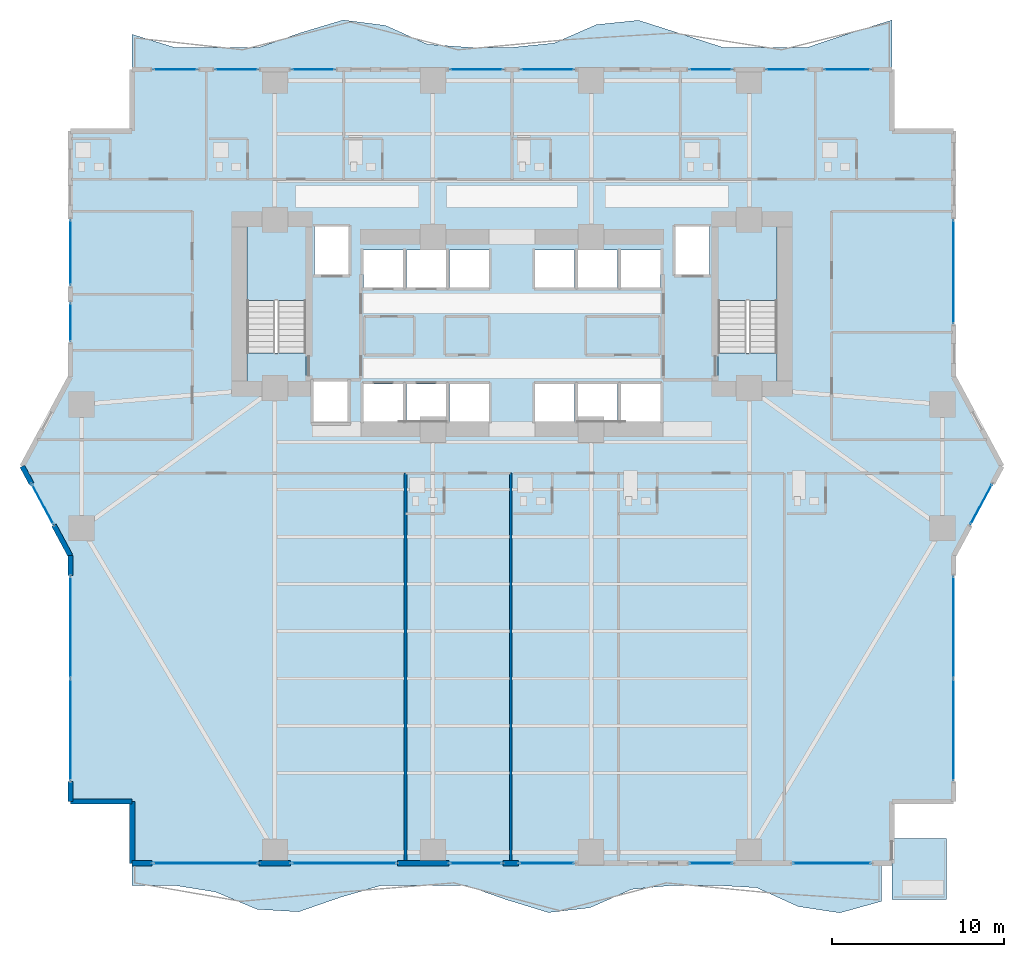
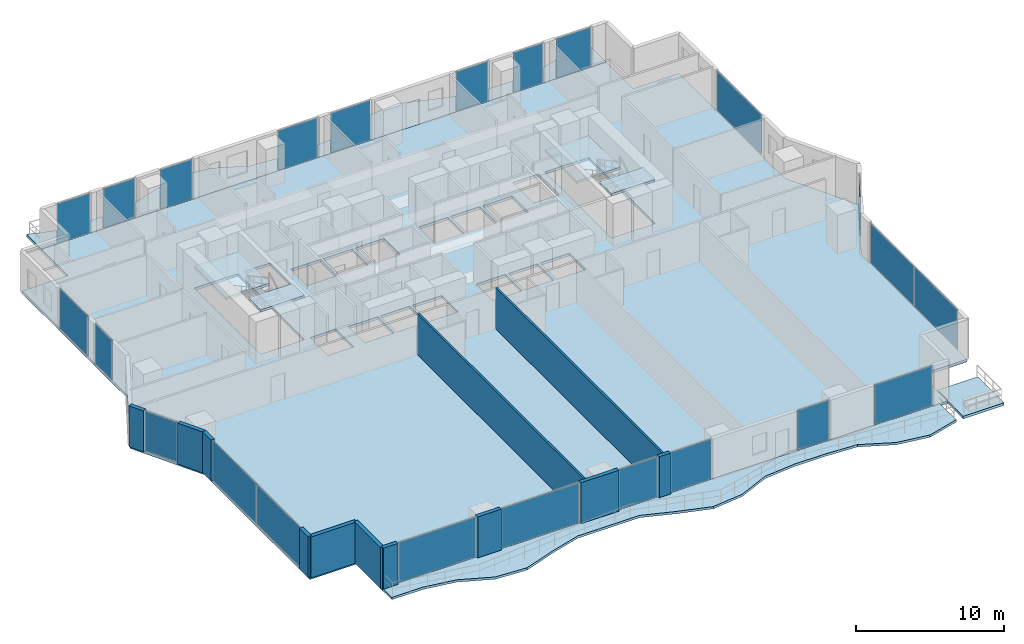
# One storey, part 18 of 30: 23 plates, 12 walls, 8 slabs, 23 elements without a shape of their own.
"""IFC4 building model written with IfcOpenShell, lengths in metres."""

from ifc_helpers import new_model, si_unit, direction, frame, frame_2d, origin, origin_2d, place, context, subcontext, project, spatial, polyline, rectangle, outline, extrude, material, layer, layer_set, type_object, element, aggregate, save


model = new_model("IFC4")

# Units and contexts
model_context = context("Model", 3, precision=1e-05, world=origin(), true_north=direction((0.0, 1.0)))
body_context = subcontext(model_context, "Body", "Model", "MODEL_VIEW")
ifc_project = project(units=[si_unit("LENGTHUNIT", "METRE"), si_unit("AREAUNIT", "SQUARE_METRE"), si_unit("VOLUMEUNIT", "CUBIC_METRE"), si_unit("PLANEANGLEUNIT", "RADIAN"), si_unit("MASSUNIT", "GRAM", prefix="KILO")], contexts=[model_context])

# Site, building, storey
site_placement = place(None, origin())
site = spatial("IfcSite", under=ifc_project, at=site_placement, CompositionType="ELEMENT")
building_placement = place(site_placement, origin())
building = spatial("IfcBuilding", under=site, at=building_placement, Name="Zuhayl Quay Hotel", CompositionType="ELEMENT")
storey_placement = place(building_placement, frame((0.0, 0.0, 86.0)))
storey = spatial("IfcBuildingStorey", under=building, at=storey_placement, Name="L21", CompositionType="ELEMENT", Elevation=86.0)

# Curtain wall, plates
ifc_material_1 = material(Name="Anodised Aluminium 6063-T6", Category="aluminium")
ifc_layer_1 = layer(ifc_material_1, 0.18994140625, Name="Anodised Aluminium 6063-T6", Category="aluminium")
ifc_layer_set_1 = layer_set([ifc_layer_1], Name="Anodised Aluminium 6063-T6")
curtain_wall_type = type_object("IfcCurtainWallType", Name="CW_SYS_Z1", PredefinedType="USERDEFINED", material=ifc_layer_set_1)
curtain_wall_1_placement = place(storey_placement, origin())
curtain_wall_1 = element("IfcCurtainWall", 1, at=curtain_wall_1_placement, inside=storey, type_object=curtain_wall_type, Name="L21 Curtain Wall ENV_L21_E02_CW1", ObjectType="UNITISED CURTAIN WALL", PredefinedType="USERDEFINED")
ifc_material_2 = material(Name="Dark Ceramic-Fritted Solar Glass", Category="glass")
ifc_layer_2 = layer(ifc_material_2, 0.035888671875, Name="Dark Ceramic-Fritted Solar Glass", Category="glass")
ifc_layer_set_2 = layer_set([ifc_layer_2], Name="Dark Ceramic-Fritted Solar Glass")
plate_type = type_object("IfcPlateType", Name="PN_DARK_FRIT_Z1", PredefinedType="CURTAIN_PANEL", material=ifc_layer_set_2)
plate_1_placement = place(storey_placement, frame((-25.699951171875, -15.331298828125, 0.06005859375), z_axis=(0.0, 0.0, 1.0), x_axis=(0.0, 1.0, 0.0)))
plate_1 = element("IfcPlate", 2, at=plate_1_placement, type_object=plate_type, Name="CW-Z1 panel 1.1", PredefinedType="CURTAIN_PANEL", context=body_context, shape_type="SweptSolid", body=[
    extrude(rectangle(XDim=5.887451171875, YDim=0.035888671875, at=origin_2d()), origin(), (0.0, 0.0, 1.0), 3.27001953125),
])
plate_2_placement = place(storey_placement, frame((-25.699951171875, -9.36865234375, 0.06005859375), z_axis=(0.0, 0.0, 1.0), x_axis=(0.0, 1.0, 0.0)))
plate_2 = element("IfcPlate", 3, at=plate_2_placement, type_object=plate_type, Name="CW-Z1 panel 2.1", PredefinedType="CURTAIN_PANEL", context=body_context, shape_type="SweptSolid", body=[
    extrude(rectangle(XDim=5.887451171875, YDim=0.035888671875, at=origin_2d()), origin(), (0.0, 0.0, 1.0), 3.27001953125),
])
aggregate(curtain_wall_1, [plate_1, plate_2])

# Curtain wall, plate
curtain_wall_2_placement = place(storey_placement, origin())
curtain_wall_2 = element("IfcCurtainWall", 4, at=curtain_wall_2_placement, inside=storey, type_object=curtain_wall_type, Name="L21 Curtain Wall ENV_L21_E03_CW1", ObjectType="UNITISED CURTAIN WALL", PredefinedType="USERDEFINED")
plate_3_placement = place(storey_placement, frame((-27.306396484375, -2.216796875, 0.06005859375), z_axis=(0.0, 0.0, 1.0), x_axis=(-0.474091102632, 0.880475795468, 0.0)))
plate_3 = element("IfcPlate", 5, at=plate_3_placement, type_object=plate_type, Name="CW-Z1 panel 1.1", PredefinedType="CURTAIN_PANEL", context=body_context, shape_type="SweptSolid", body=[
    extrude(rectangle(XDim=2.58544921875, YDim=0.035888671875, at=origin_2d()), origin(), (0.0, 0.0, 1.0), 3.27001953125),
])
aggregate(curtain_wall_2, [plate_3])

curtain_wall_3_placement = place(storey_placement, origin())
curtain_wall_3 = element("IfcCurtainWall", 6, at=curtain_wall_3_placement, inside=storey, type_object=curtain_wall_type, Name="L21 Curtain Wall ENV_L21_E05_CW1", ObjectType="UNITISED CURTAIN WALL", PredefinedType="USERDEFINED")
plate_4_placement = place(storey_placement, frame((-25.699951171875, 8.385009765625, 0.06005859375), z_axis=(0.0, 0.0, 1.0), x_axis=(0.0, 1.0, 0.0)))
plate_4 = element("IfcPlate", 7, at=plate_4_placement, type_object=plate_type, Name="CW-Z1 panel 1.1", PredefinedType="CURTAIN_PANEL", context=body_context, shape_type="SweptSolid", body=[
    extrude(rectangle(XDim=2.219970703125, YDim=0.035888671875, at=origin_2d()), origin(), (0.0, 0.0, 1.0), 3.27001953125),
])
aggregate(curtain_wall_3, [plate_4])

curtain_wall_4_placement = place(storey_placement, origin())
curtain_wall_4 = element("IfcCurtainWall", 8, at=curtain_wall_4_placement, inside=storey, type_object=curtain_wall_type, Name="L21 Curtain Wall ENV_L21_E05_CW2", ObjectType="UNITISED CURTAIN WALL", PredefinedType="USERDEFINED")
plate_5_placement = place(storey_placement, frame((-25.699951171875, 12.43505859375, 0.06005859375), z_axis=(0.0, 0.0, 1.0), x_axis=(0.0, 1.0, 0.0)))
plate_5 = element("IfcPlate", 9, at=plate_5_placement, type_object=plate_type, Name="CW-Z1 panel 1.1", PredefinedType="CURTAIN_PANEL", context=body_context, shape_type="SweptSolid", body=[
    extrude(rectangle(XDim=3.780029296875, YDim=0.035888671875, at=origin_2d()), origin(), (0.0, 0.0, 1.0), 3.27001953125),
])
aggregate(curtain_wall_4, [plate_5])

curtain_wall_5_placement = place(storey_placement, origin())
curtain_wall_5 = element("IfcCurtainWall", 10, at=curtain_wall_5_placement, inside=storey, type_object=curtain_wall_type, Name="L21 Curtain Wall ENV_L21_N_CW1", ObjectType="UNITISED CURTAIN WALL", PredefinedType="USERDEFINED")
plate_6_placement = place(storey_placement, frame((-19.60009765625, 23.10009765625, 0.06005859375), z_axis=(0.0, 0.0, 1.0), x_axis=(1.0, 0.0, 0.0)))
plate_6 = element("IfcPlate", 11, at=plate_6_placement, type_object=plate_type, Name="CW-Z1 panel 1.1", PredefinedType="CURTAIN_PANEL", context=body_context, shape_type="SweptSolid", body=[
    extrude(rectangle(XDim=2.550048828125, YDim=0.035888671875, at=origin_2d()), origin(), (0.0, 0.0, 1.0), 3.27001953125),
])
aggregate(curtain_wall_5, [plate_6])

curtain_wall_6_placement = place(storey_placement, origin())
curtain_wall_6 = element("IfcCurtainWall", 12, at=curtain_wall_6_placement, inside=storey, type_object=curtain_wall_type, Name="L21 Curtain Wall ENV_L21_N_CW2", ObjectType="UNITISED CURTAIN WALL", PredefinedType="USERDEFINED")
plate_7_placement = place(storey_placement, frame((-16.034912109375, 23.10009765625, 0.06005859375), z_axis=(0.0, 0.0, 1.0), x_axis=(1.0, 0.0, 0.0)))
plate_7 = element("IfcPlate", 13, at=plate_7_placement, type_object=plate_type, Name="CW-Z1 panel 1.1", PredefinedType="CURTAIN_PANEL", context=body_context, shape_type="SweptSolid", body=[
    extrude(rectangle(XDim=2.47998046875, YDim=0.035888671875, at=origin_2d()), origin(), (0.0, 0.0, 1.0), 3.27001953125),
])
aggregate(curtain_wall_6, [plate_7])

curtain_wall_7_placement = place(storey_placement, origin())
curtain_wall_7 = element("IfcCurtainWall", 14, at=curtain_wall_7_placement, inside=storey, type_object=curtain_wall_type, Name="L21 Curtain Wall ENV_L21_N_CW3", ObjectType="UNITISED CURTAIN WALL", PredefinedType="USERDEFINED")
plate_8_placement = place(storey_placement, frame((-11.56494140625, 23.10009765625, 0.06005859375), z_axis=(0.0, 0.0, 1.0), x_axis=(1.0, 0.0, 0.0)))
plate_8 = element("IfcPlate", 15, at=plate_8_placement, type_object=plate_type, Name="CW-Z1 panel 1.1", PredefinedType="CURTAIN_PANEL", context=body_context, shape_type="SweptSolid", body=[
    extrude(rectangle(XDim=2.47998046875, YDim=0.035888671875, at=origin_2d()), origin(), (0.0, 0.0, 1.0), 3.27001953125),
])
aggregate(curtain_wall_7, [plate_8])

curtain_wall_8_placement = place(storey_placement, origin())
curtain_wall_8 = element("IfcCurtainWall", 16, at=curtain_wall_8_placement, inside=storey, type_object=curtain_wall_type, Name="L21 Curtain Wall ENV_L21_N_CW4", ObjectType="UNITISED CURTAIN WALL", PredefinedType="USERDEFINED")
plate_9_placement = place(storey_placement, frame((-2.06494140625, 23.10009765625, 0.06005859375), z_axis=(0.0, 0.0, 1.0), x_axis=(1.0, 0.0, 0.0)))
plate_9 = element("IfcPlate", 17, at=plate_9_placement, type_object=plate_type, Name="CW-Z1 panel 1.1", PredefinedType="CURTAIN_PANEL", context=body_context, shape_type="SweptSolid", body=[
    extrude(rectangle(XDim=3.080078125, YDim=0.035888671875, at=origin_2d()), origin(), (0.0, 0.0, 1.0), 3.27001953125),
])
aggregate(curtain_wall_8, [plate_9])

curtain_wall_9_placement = place(storey_placement, origin())
curtain_wall_9 = element("IfcCurtainWall", 18, at=curtain_wall_9_placement, inside=storey, type_object=curtain_wall_type, Name="L21 Curtain Wall ENV_L21_N_CW5", ObjectType="UNITISED CURTAIN WALL", PredefinedType="USERDEFINED")
plate_10_placement = place(storey_placement, frame((2.06494140625, 23.10009765625, 0.06005859375), z_axis=(0.0, 0.0, 1.0), x_axis=(1.0, 0.0, 0.0)))
plate_10 = element("IfcPlate", 19, at=plate_10_placement, type_object=plate_type, Name="CW-Z1 panel 1.1", PredefinedType="CURTAIN_PANEL", context=body_context, shape_type="SweptSolid", body=[
    extrude(rectangle(XDim=3.080078125, YDim=0.035888671875, at=origin_2d()), origin(), (0.0, 0.0, 1.0), 3.27001953125),
])
aggregate(curtain_wall_9, [plate_10])

curtain_wall_10_placement = place(storey_placement, origin())
curtain_wall_10 = element("IfcCurtainWall", 20, at=curtain_wall_10_placement, inside=storey, type_object=curtain_wall_type, Name="L21 Curtain Wall ENV_L21_N_CW6", ObjectType="UNITISED CURTAIN WALL", PredefinedType="USERDEFINED")
plate_11_placement = place(storey_placement, frame((11.56494140625, 23.10009765625, 0.06005859375), z_axis=(0.0, 0.0, 1.0), x_axis=(1.0, 0.0, 0.0)))
plate_11 = element("IfcPlate", 21, at=plate_11_placement, type_object=plate_type, Name="CW-Z1 panel 1.1", PredefinedType="CURTAIN_PANEL", context=body_context, shape_type="SweptSolid", body=[
    extrude(rectangle(XDim=2.47998046875, YDim=0.035888671875, at=origin_2d()), origin(), (0.0, 0.0, 1.0), 3.27001953125),
])
aggregate(curtain_wall_10, [plate_11])

curtain_wall_11_placement = place(storey_placement, origin())
curtain_wall_11 = element("IfcCurtainWall", 22, at=curtain_wall_11_placement, inside=storey, type_object=curtain_wall_type, Name="L21 Curtain Wall ENV_L21_N_CW7", ObjectType="UNITISED CURTAIN WALL", PredefinedType="USERDEFINED")
plate_12_placement = place(storey_placement, frame((15.955078125, 23.10009765625, 0.06005859375), z_axis=(0.0, 0.0, 1.0), x_axis=(1.0, 0.0, 0.0)))
plate_12 = element("IfcPlate", 23, at=plate_12_placement, type_object=plate_type, Name="CW-Z1 panel 1.1", PredefinedType="CURTAIN_PANEL", context=body_context, shape_type="SweptSolid", body=[
    extrude(rectangle(XDim=2.320068359375, YDim=0.035888671875, at=origin_2d()), origin(), (0.0, 0.0, 1.0), 3.27001953125),
])
aggregate(curtain_wall_11, [plate_12])

curtain_wall_12_placement = place(storey_placement, origin())
curtain_wall_12 = element("IfcCurtainWall", 24, at=curtain_wall_12_placement, inside=storey, type_object=curtain_wall_type, Name="L21 Curtain Wall ENV_L21_N_CW8", ObjectType="UNITISED CURTAIN WALL", PredefinedType="USERDEFINED")
plate_13_placement = place(storey_placement, frame((19.52001953125, 23.10009765625, 0.06005859375), z_axis=(0.0, 0.0, 1.0), x_axis=(1.0, 0.0, 0.0)))
plate_13 = element("IfcPlate", 25, at=plate_13_placement, type_object=plate_type, Name="CW-Z1 panel 1.1", PredefinedType="CURTAIN_PANEL", context=body_context, shape_type="SweptSolid", body=[
    extrude(rectangle(XDim=2.7099609375, YDim=0.035888671875, at=origin_2d()), origin(), (0.0, 0.0, 1.0), 3.27001953125),
])
aggregate(curtain_wall_12, [plate_13])

curtain_wall_13_placement = place(storey_placement, origin())
curtain_wall_13 = element("IfcCurtainWall", 26, at=curtain_wall_13_placement, inside=storey, type_object=curtain_wall_type, Name="L21 Curtain Wall ENV_L21_E11_CW1", ObjectType="UNITISED CURTAIN WALL", PredefinedType="USERDEFINED")
plate_14_placement = place(storey_placement, frame((25.699951171875, 11.324951171875, 0.06005859375), z_axis=(0.0, 0.0, 1.0), x_axis=(0.0, -1.0, 0.0)))
plate_14 = element("IfcPlate", 27, at=plate_14_placement, type_object=plate_type, Name="CW-Z1 panel 1.1", PredefinedType="CURTAIN_PANEL", context=body_context, shape_type="SweptSolid", body=[
    extrude(rectangle(XDim=6.0, YDim=0.035888671875, at=origin_2d()), origin(), (0.0, 0.0, 1.0), 3.27001953125),
])
aggregate(curtain_wall_13, [plate_14])

curtain_wall_14_placement = place(storey_placement, origin())
curtain_wall_14 = element("IfcCurtainWall", 28, at=curtain_wall_14_placement, inside=storey, type_object=curtain_wall_type, Name="L21 Curtain Wall ENV_L21_E13_CW1", ObjectType="UNITISED CURTAIN WALL", PredefinedType="USERDEFINED")
plate_15_placement = place(storey_placement, frame((27.306396484375, -2.216796875, 0.06005859375), z_axis=(0.0, 0.0, 1.0), x_axis=(-0.474091102632, -0.880475795468, 0.0)))
plate_15 = element("IfcPlate", 29, at=plate_15_placement, type_object=plate_type, Name="CW-Z1 panel 1.1", PredefinedType="CURTAIN_PANEL", context=body_context, shape_type="SweptSolid", body=[
    extrude(rectangle(XDim=2.58544921875, YDim=0.035888671875, at=origin_2d()), origin(), (0.0, 0.0, 1.0), 3.27001953125),
])
aggregate(curtain_wall_14, [plate_15])

# Curtain wall, plates
curtain_wall_15_placement = place(storey_placement, origin())
curtain_wall_15 = element("IfcCurtainWall", 30, at=curtain_wall_15_placement, inside=storey, type_object=curtain_wall_type, Name="L21 Curtain Wall ENV_L21_E14_CW1", ObjectType="UNITISED CURTAIN WALL", PredefinedType="USERDEFINED")
plate_16_placement = place(storey_placement, frame((25.699951171875, -9.36865234375, 0.06005859375), z_axis=(0.0, 0.0, 1.0), x_axis=(0.0, -1.0, 0.0)))
plate_16 = element("IfcPlate", 31, at=plate_16_placement, type_object=plate_type, Name="CW-Z1 panel 1.1", PredefinedType="CURTAIN_PANEL", context=body_context, shape_type="SweptSolid", body=[
    extrude(rectangle(XDim=5.887451171875, YDim=0.035888671875, at=origin_2d()), origin(), (0.0, 0.0, 1.0), 3.27001953125),
])
plate_17_placement = place(storey_placement, frame((25.699951171875, -15.331298828125, 0.06005859375), z_axis=(0.0, 0.0, 1.0), x_axis=(0.0, -1.0, 0.0)))
plate_17 = element("IfcPlate", 32, at=plate_17_placement, type_object=plate_type, Name="CW-Z1 panel 2.1", PredefinedType="CURTAIN_PANEL", context=body_context, shape_type="SweptSolid", body=[
    extrude(rectangle(XDim=5.887451171875, YDim=0.035888671875, at=origin_2d()), origin(), (0.0, 0.0, 1.0), 3.27001953125),
])
aggregate(curtain_wall_15, [plate_16, plate_17])

# Curtain wall, plate
curtain_wall_16_placement = place(storey_placement, origin())
curtain_wall_16 = element("IfcCurtainWall", 33, at=curtain_wall_16_placement, inside=storey, type_object=curtain_wall_type, Name="L21 Curtain Wall ENV_L21_S_CW1", ObjectType="UNITISED CURTAIN WALL", PredefinedType="USERDEFINED")
plate_18_placement = place(storey_placement, frame((18.6201171875, -23.10009765625, 0.06005859375), z_axis=(0.0, 0.0, 1.0), x_axis=(-1.0, 0.0, 0.0)))
plate_18 = element("IfcPlate", 34, at=plate_18_placement, type_object=plate_type, Name="CW-Z1 panel 1.1", PredefinedType="CURTAIN_PANEL", context=body_context, shape_type="SweptSolid", body=[
    extrude(rectangle(XDim=4.510009765625, YDim=0.035888671875, at=origin_2d()), origin(), (0.0, 0.0, 1.0), 3.27001953125),
])
aggregate(curtain_wall_16, [plate_18])

curtain_wall_17_placement = place(storey_placement, origin())
curtain_wall_17 = element("IfcCurtainWall", 35, at=curtain_wall_17_placement, inside=storey, type_object=curtain_wall_type, Name="L21 Curtain Wall ENV_L21_S_CW2", ObjectType="UNITISED CURTAIN WALL", PredefinedType="USERDEFINED")
plate_19_placement = place(storey_placement, frame((11.573486328125, -23.10009765625, 0.06005859375), z_axis=(0.0, 0.0, 1.0), x_axis=(-1.0, 0.0, 0.0)))
plate_19 = element("IfcPlate", 36, at=plate_19_placement, type_object=plate_type, Name="CW-Z1 panel 1.1", PredefinedType="CURTAIN_PANEL", context=body_context, shape_type="SweptSolid", body=[
    extrude(rectangle(XDim=2.462890625, YDim=0.035888671875, at=origin_2d()), origin(), (0.0, 0.0, 1.0), 3.27001953125),
])
aggregate(curtain_wall_17, [plate_19])

curtain_wall_18_placement = place(storey_placement, origin())
curtain_wall_18 = element("IfcCurtainWall", 37, at=curtain_wall_18_placement, inside=storey, type_object=curtain_wall_type, Name="L21 Curtain Wall ENV_L21_S_CW3", ObjectType="UNITISED CURTAIN WALL", PredefinedType="USERDEFINED")
plate_20_placement = place(storey_placement, frame((2.02490234375, -23.10009765625, 0.06005859375), z_axis=(0.0, 0.0, 1.0), x_axis=(-1.0, 0.0, 0.0)))
plate_20 = element("IfcPlate", 38, at=plate_20_placement, type_object=plate_type, Name="CW-Z1 panel 1.1", PredefinedType="CURTAIN_PANEL", context=body_context, shape_type="SweptSolid", body=[
    extrude(rectangle(XDim=3.159912109375, YDim=0.035888671875, at=origin_2d()), origin(), (0.0, 0.0, 1.0), 3.27001953125),
])
aggregate(curtain_wall_18, [plate_20])

curtain_wall_19_placement = place(storey_placement, origin())
curtain_wall_19 = element("IfcCurtainWall", 39, at=curtain_wall_19_placement, inside=storey, type_object=curtain_wall_type, Name="L21 Curtain Wall ENV_L21_S_CW4", ObjectType="UNITISED CURTAIN WALL", PredefinedType="USERDEFINED")
plate_21_placement = place(storey_placement, frame((-2.10498046875, -23.10009765625, 0.06005859375), z_axis=(0.0, 0.0, 1.0), x_axis=(-1.0, 0.0, 0.0)))
plate_21 = element("IfcPlate", 40, at=plate_21_placement, type_object=plate_type, Name="CW-Z1 panel 1.1", PredefinedType="CURTAIN_PANEL", context=body_context, shape_type="SweptSolid", body=[
    extrude(rectangle(XDim=3.0, YDim=0.035888671875, at=origin_2d()), origin(), (0.0, 0.0, 1.0), 3.27001953125),
])
aggregate(curtain_wall_19, [plate_21])

curtain_wall_20_placement = place(storey_placement, origin())
curtain_wall_20 = element("IfcCurtainWall", 41, at=curtain_wall_20_placement, inside=storey, type_object=curtain_wall_type, Name="L21 Curtain Wall ENV_L21_S_CW5", ObjectType="UNITISED CURTAIN WALL", PredefinedType="USERDEFINED")
plate_22_placement = place(storey_placement, frame((-9.764892578125, -23.10009765625, 0.06005859375), z_axis=(0.0, 0.0, 1.0), x_axis=(-1.0, 0.0, 0.0)))
plate_22 = element("IfcPlate", 42, at=plate_22_placement, type_object=plate_type, Name="CW-Z1 panel 1.1", PredefinedType="CURTAIN_PANEL", context=body_context, shape_type="SweptSolid", body=[
    extrude(rectangle(XDim=6.080078125, YDim=0.035888671875, at=origin_2d()), origin(), (0.0, 0.0, 1.0), 3.27001953125),
])
aggregate(curtain_wall_20, [plate_22])

curtain_wall_21_placement = place(storey_placement, origin())
curtain_wall_21 = element("IfcCurtainWall", 43, at=curtain_wall_21_placement, inside=storey, type_object=curtain_wall_type, Name="L21 Curtain Wall ENV_L21_S_CW6", ObjectType="UNITISED CURTAIN WALL", PredefinedType="USERDEFINED")
plate_23_placement = place(storey_placement, frame((-17.8349609375, -23.10009765625, 0.06005859375), z_axis=(0.0, 0.0, 1.0), x_axis=(-1.0, 0.0, 0.0)))
plate_23 = element("IfcPlate", 44, at=plate_23_placement, type_object=plate_type, Name="CW-Z1 panel 1.1", PredefinedType="CURTAIN_PANEL", context=body_context, shape_type="SweptSolid", body=[
    extrude(rectangle(XDim=6.080078125, YDim=0.035888671875, at=origin_2d()), origin(), (0.0, 0.0, 1.0), 3.27001953125),
])
aggregate(curtain_wall_21, [plate_23])

# Slabs
ifc_material_3 = material(Name="Concrete C45/55", Category="concrete")
ifc_layer_3 = layer(ifc_material_3, 0.195068359375, Name="Concrete C45/55", Category="concrete")
ifc_layer_set_3 = layer_set([ifc_layer_3], Name="Concrete C45/55")
slab_type_1 = type_object("IfcSlabType", Name="SL_BALCONY_195", PredefinedType="FLOOR", material=ifc_layer_set_3)
slab_1_placement = place(storey_placement, frame((0.0, 0.0, -0.195068359375)))
element("IfcSlab", 45, at=slab_1_placement, inside=storey, type_object=slab_type_1, Name="L21 Exterior Rippling Balcony Slab North", PredefinedType="FLOOR", context=body_context, shape_type="SweptSolid", body=[
    extrude(outline(polyline([(-22.10009765625, 23.10009765625), (22.10009765625, 23.10009765625), (22.10009765625, 25.965576171875), (19.644287109375, 25.202880859375), (17.18896484375, 24.3798828125), (14.7333984375, 24.3798828125), (12.27783203125, 24.3798828125), (9.822265625, 25.17236328125), (7.36669921875, 25.95751953125), (4.9111328125, 25.7041015625), (2.45556640625, 24.630126953125), (0.0, 24.3798828125), (-2.45556640625, 24.3798828125), (-4.9111328125, 24.559814453125), (-7.36669921875, 25.65673828125), (-9.822265625, 25.973876953125), (-12.27783203125, 25.23828125), (-14.7333984375, 24.3798828125), (-17.18896484375, 24.3798828125), (-19.644287109375, 24.3798828125), (-22.10009765625, 25.13623046875), (-22.10009765625, 23.10009765625)])), origin(), (0.0, 0.0, 1.0), 0.195068359375),
])
slab_2_placement = place(storey_placement, frame((0.0, 0.0, -0.195068359375)))
element("IfcSlab", 46, at=slab_2_placement, inside=storey, type_object=slab_type_1, Name="L21 Exterior Rippling Balcony Slab South", PredefinedType="FLOOR", context=body_context, shape_type="SweptSolid", body=[
    extrude(outline(polyline([(-22.10009765625, -24.3798828125), (-19.677734375, -24.3798828125), (-17.255615234375, -24.771728515625), (-14.833251953125, -25.7802734375), (-12.4111328125, -25.924560546875), (-9.989013671875, -25.083984375), (-7.566650390625, -24.3798828125), (-5.144287109375, -24.3798828125), (-2.72216796875, -24.3798828125), (-0.300048828125, -25.228515625), (2.122314453125, -25.968017578125), (4.54443359375, -25.686279296875), (6.966796875, -24.619384765625), (9.388916015625, -24.3798828125), (11.81103515625, -24.3798828125), (14.2333984375, -24.522216796875), (16.655517578125, -25.618408203125), (19.077880859375, -25.986328125), (21.5, -25.3173828125), (21.5, -23.10009765625), (-22.10009765625, -23.10009765625), (-22.10009765625, -24.3798828125)])), origin(), (0.0, 0.0, 1.0), 0.195068359375),
])
ifc_layer_4 = layer(ifc_material_3, 0.219970703125, Name="Concrete C45/55", Category="concrete")
ifc_layer_set_4 = layer_set([ifc_layer_4], Name="Concrete C45/55")
slab_type_2 = type_object("IfcSlabType", Name="SL_FLOOR_220", PredefinedType="FLOOR", material=ifc_layer_set_4)
slab_3_placement = place(storey_placement, frame((0.0, 0.0, -0.219970703125)))
element("IfcSlab", 47, at=slab_3_placement, inside=storey, type_object=slab_type_2, Name="L21 Structural Floor Slab", PredefinedType="FLOOR", context=body_context, shape_type="SweptSolid", body=[
    extrude(outline(polyline([(-22.10009765625, -23.10009765625), (22.10009765625, -23.10009765625), (22.10009765625, -19.5), (25.699951171875, -19.5), (25.699951171875, -5.199951171875), (28.5, 0.0), (25.699951171875, 5.199951171875), (25.699951171875, 19.5), (22.10009765625, 19.5), (22.10009765625, 23.10009765625), (-22.10009765625, 23.10009765625), (-22.10009765625, 19.5), (-25.699951171875, 19.5), (-25.699951171875, 5.199951171875), (-28.5, 0.0), (-25.699951171875, -5.199951171875), (-25.699951171875, -19.5), (-22.10009765625, -19.5), (-22.10009765625, -23.10009765625)]), holes=[polyline([(-12.0, 4.949951171875), (-12.0, 13.949951171875), (-15.429931640625, 13.949951171875), (-15.429931640625, 4.949951171875), (-12.0, 4.949951171875)]), polyline([(15.429931640625, 4.949951171875), (15.429931640625, 13.949951171875), (12.0, 13.949951171875), (12.0, 4.949951171875), (15.429931640625, 4.949951171875)]), polyline([(-11.5, 11.14990234375), (-9.5, 11.14990234375), (-9.5, 13.949951171875), (-11.5, 13.949951171875), (-11.5, 11.14990234375)]), polyline([(9.5, 11.14990234375), (11.5, 11.14990234375), (11.5, 13.949951171875), (9.5, 13.949951171875), (9.5, 11.14990234375)]), polyline([(-8.64990234375, 2.60009765625), (-6.35009765625, 2.60009765625), (-6.35009765625, 4.800048828125), (-8.64990234375, 4.800048828125), (-8.64990234375, 2.60009765625)]), polyline([(-6.14990234375, 2.60009765625), (-3.85009765625, 2.60009765625), (-3.85009765625, 4.800048828125), (-6.14990234375, 4.800048828125), (-6.14990234375, 2.60009765625)]), polyline([(-8.64990234375, 10.39990234375), (-6.35009765625, 10.39990234375), (-6.35009765625, 12.60009765625), (-8.64990234375, 12.60009765625), (-8.64990234375, 10.39990234375)]), polyline([(-6.14990234375, 10.39990234375), (-3.85009765625, 10.39990234375), (-3.85009765625, 12.60009765625), (-6.14990234375, 12.60009765625), (-6.14990234375, 10.39990234375)]), polyline([(-3.64990234375, 2.60009765625), (-1.35009765625, 2.60009765625), (-1.35009765625, 4.800048828125), (-3.64990234375, 4.800048828125), (-3.64990234375, 2.60009765625)]), polyline([(1.35009765625, 2.60009765625), (3.64990234375, 2.60009765625), (3.64990234375, 4.800048828125), (1.35009765625, 4.800048828125), (1.35009765625, 2.60009765625)]), polyline([(-3.64990234375, 10.39990234375), (-1.35009765625, 10.39990234375), (-1.35009765625, 12.60009765625), (-3.64990234375, 12.60009765625), (-3.64990234375, 10.39990234375)]), polyline([(1.35009765625, 10.39990234375), (3.64990234375, 10.39990234375), (3.64990234375, 12.60009765625), (1.35009765625, 12.60009765625), (1.35009765625, 10.39990234375)]), polyline([(3.85009765625, 2.60009765625), (6.14990234375, 2.60009765625), (6.14990234375, 4.800048828125), (3.85009765625, 4.800048828125), (3.85009765625, 2.60009765625)]), polyline([(6.35009765625, 2.60009765625), (8.64990234375, 2.60009765625), (8.64990234375, 4.800048828125), (6.35009765625, 4.800048828125), (6.35009765625, 2.60009765625)]), polyline([(3.85009765625, 10.39990234375), (6.14990234375, 10.39990234375), (6.14990234375, 12.60009765625), (3.85009765625, 12.60009765625), (3.85009765625, 10.39990234375)]), polyline([(6.35009765625, 10.39990234375), (8.64990234375, 10.39990234375), (8.64990234375, 12.60009765625), (6.35009765625, 12.60009765625), (6.35009765625, 10.39990234375)]), polyline([(-11.550048828125, 2.550048828125), (-9.550048828125, 2.550048828125), (-9.550048828125, 4.949951171875), (-11.550048828125, 4.949951171875), (-11.550048828125, 2.550048828125)])]), origin(), (0.0, 0.0, 1.0), 0.219970703125),
])

# Stair, slabs
stair_type = type_object("IfcStairType", Name="ST_DOGLEG_TOWER", PredefinedType="HALF_TURN_STAIR", material=ifc_material_3)
stair_1_placement = place(storey_placement, origin())
stair_1 = element("IfcStair", 48, at=stair_1_placement, inside=storey, type_object=stair_type, Name="L21 Smokeproof Exit Stair ST1", PredefinedType="HALF_TURN_STAIR")
ifc_layer_5 = layer(ifc_material_3, 0.199951171875, Name="Concrete C45/55", Category="concrete")
ifc_layer_set_5 = layer_set([ifc_layer_5], Name="Concrete C45/55")
slab_type_3 = type_object("IfcSlabType", Name="SL_STAIR_LANDING_200", PredefinedType="LANDING", material=ifc_layer_set_5)
slab_4_placement = place(storey_placement, frame((0.0, 0.0, 1.625)))
slab_4 = element("IfcSlab", 49, at=slab_4_placement, type_object=slab_type_3, Name="ST1 landing 1", PredefinedType="LANDING", context=body_context, shape_type="SweptSolid", body=[
    extrude(outline(polyline([(-12.0, 9.64990234375), (-12.0, 13.949951171875), (-15.429931640625, 13.949951171875), (-15.429931640625, 9.64990234375), (-12.0, 9.64990234375)])), origin(), (0.0, 0.0, 1.0), 0.199951171875),
])
slab_5_placement = place(storey_placement, frame((0.0, 0.0, 3.449951171875)))
slab_5 = element("IfcSlab", 50, at=slab_5_placement, type_object=slab_type_3, Name="ST1 landing 2", PredefinedType="LANDING", context=body_context, shape_type="SweptSolid", body=[
    extrude(outline(polyline([(-12.0, 4.949951171875), (-12.0, 6.590087890625), (-15.429931640625, 6.590087890625), (-15.429931640625, 4.949951171875), (-12.0, 4.949951171875)])), origin(), (0.0, 0.0, 1.0), 0.199951171875),
])
aggregate(stair_1, [slab_4, slab_5])

stair_2_placement = place(storey_placement, origin())
stair_2 = element("IfcStair", 51, at=stair_2_placement, inside=storey, type_object=stair_type, Name="L21 Smokeproof Exit Stair ST2", PredefinedType="HALF_TURN_STAIR")
slab_6_placement = place(storey_placement, frame((0.0, 0.0, 1.625)))
slab_6 = element("IfcSlab", 52, at=slab_6_placement, type_object=slab_type_3, Name="ST2 landing 1", PredefinedType="LANDING", context=body_context, shape_type="SweptSolid", body=[
    extrude(outline(polyline([(15.429931640625, 9.64990234375), (15.429931640625, 13.949951171875), (12.0, 13.949951171875), (12.0, 9.64990234375), (15.429931640625, 9.64990234375)])), origin(), (0.0, 0.0, 1.0), 0.199951171875),
])
slab_7_placement = place(storey_placement, frame((0.0, 0.0, 3.449951171875)))
slab_7 = element("IfcSlab", 53, at=slab_7_placement, type_object=slab_type_3, Name="ST2 landing 2", PredefinedType="LANDING", context=body_context, shape_type="SweptSolid", body=[
    extrude(outline(polyline([(15.429931640625, 4.949951171875), (15.429931640625, 6.590087890625), (12.0, 6.590087890625), (12.0, 4.949951171875), (15.429931640625, 4.949951171875)])), origin(), (0.0, 0.0, 1.0), 0.199951171875),
])
aggregate(stair_2, [slab_6, slab_7])

# Slab
ifc_layer_6 = layer(ifc_material_3, 0.219970703125, Name="Concrete C45/55", Category="concrete")
ifc_layer_set_6 = layer_set([ifc_layer_6], Name="Concrete C45/55")
slab_type_4 = type_object("IfcSlabType", Name="SL_TERRACE_235", PredefinedType="FLOOR", material=ifc_layer_set_6)
slab_8_placement = place(storey_placement, frame((0.0, 0.0, -0.219970703125)))
element("IfcSlab", 54, at=slab_8_placement, inside=storey, type_object=slab_type_4, Name="L21 Exterior Sky-Terrace Slab L21_SPIRAL_SE", PredefinedType="FLOOR", context=body_context, shape_type="SweptSolid", body=[
    extrude(outline(polyline([(22.10009765625, -25.199951171875), (25.300048828125, -25.199951171875), (25.300048828125, -21.64990234375), (22.10009765625, -21.64990234375), (22.10009765625, -25.199951171875)])), origin(), (0.0, 0.0, 1.0), 0.219970703125),
])

# Walls
ifc_material_4 = material(Name="Precast concrete C45/55", Category="concrete")
ifc_layer_7 = layer(ifc_material_4, 0.300048828125, Name="Precast concrete C45/55", Category="concrete")
ifc_layer_set_7 = layer_set([ifc_layer_7], Name="Precast concrete C45/55")
wall_type_1 = type_object("IfcWallType", Name="WL_EXT_300", PredefinedType="STANDARD", material=ifc_layer_set_7)
wall_1_placement = place(storey_placement, frame((-22.10009765625, -19.5, 0.0), z_axis=(0.0, 0.0, 1.0), x_axis=(-1.0, 0.0, 0.0)))
element("IfcWall", 55, at=wall_1_placement, inside=storey, type_object=wall_type_1, Name="L21 Exterior Precast Wall ENV_L21_EW01", PredefinedType="STANDARD", context=body_context, shape_type="SweptSolid", body=[
    extrude(rectangle(XDim=3.599853515625, YDim=0.300048828125, at=frame_2d((1.7998046875, 0.0))), origin(), (0.0, 0.0, 1.0), 3.389892578125),
])
wall_2_placement = place(storey_placement, frame((-25.699951171875, -19.5, 0.0), z_axis=(0.0, 0.0, 1.0), x_axis=(0.0, 1.0, 0.0)))
element("IfcWall", 56, at=wall_2_placement, inside=storey, type_object=wall_type_1, Name="L21 Exterior Precast Wall ENV_L21_E02_EW1", PredefinedType="STANDARD", context=body_context, shape_type="SweptSolid", body=[
    extrude(rectangle(XDim=1.14990234375, YDim=0.300048828125, at=frame_2d((0.574951171875, 0.0))), origin(), (0.0, 0.0, 1.0), 3.389892578125),
])
wall_3_placement = place(storey_placement, frame((-25.699951171875, -6.35009765625, 0.0), z_axis=(0.0, 0.0, 1.0), x_axis=(0.0, 1.0, 0.0)))
element("IfcWall", 57, at=wall_3_placement, inside=storey, type_object=wall_type_1, Name="L21 Exterior Precast Wall ENV_L21_E02_EW2", PredefinedType="STANDARD", context=body_context, shape_type="SweptSolid", body=[
    extrude(rectangle(XDim=1.150146484375, YDim=0.300048828125, at=frame_2d((0.5751953125, 0.0))), origin(), (0.0, 0.0, 1.0), 3.389892578125),
])
wall_4_placement = place(storey_placement, frame((-25.699951171875, -5.199951171875, 0.0), z_axis=(0.0, 0.0, 1.0), x_axis=(-0.474121438562, 0.88045946045, 0.0)))
element("IfcWall", 58, at=wall_4_placement, inside=storey, type_object=wall_type_1, Name="L21 Exterior Precast Wall ENV_L21_E03_EW1", PredefinedType="STANDARD", context=body_context, shape_type="SweptSolid", body=[
    extrude(rectangle(XDim=2.0205078125, YDim=0.300048828125, at=frame_2d((1.01025390625, 0.0))), origin(), (0.0, 0.0, 1.0), 3.389892578125),
])
wall_5_placement = place(storey_placement, frame((-27.954833984375, -1.012451171875, 0.0), z_axis=(0.0, 0.0, 1.0), x_axis=(-0.474099823035, 0.880471099922, 0.0)))
element("IfcWall", 59, at=wall_5_placement, inside=storey, type_object=wall_type_1, Name="L21 Exterior Precast Wall ENV_L21_E03_EW2", PredefinedType="STANDARD", context=body_context, shape_type="SweptSolid", body=[
    extrude(rectangle(XDim=1.14990234375, YDim=0.300048828125, at=frame_2d((0.574951171875, 0.0))), origin(), (0.0, 0.0, 1.0), 3.389892578125),
])
wall_6_placement = place(storey_placement, frame((0.3701171875, -23.10009765625, 0.0), z_axis=(0.0, 0.0, 1.0), x_axis=(-1.0, 0.0, 0.0)))
element("IfcWall", 60, at=wall_6_placement, inside=storey, type_object=wall_type_1, Name="L21 Exterior Precast Wall ENV_L21_S_EW4", PredefinedType="STANDARD", context=body_context, shape_type="SweptSolid", body=[
    extrude(rectangle(XDim=0.900146484375, YDim=0.300048828125, at=frame_2d((0.4501953125, 0.0))), origin(), (0.0, 0.0, 1.0), 3.389892578125),
])
wall_7_placement = place(storey_placement, frame((-3.679931640625, -23.10009765625, 0.0), z_axis=(0.0, 0.0, 1.0), x_axis=(-1.0, 0.0, 0.0)))
element("IfcWall", 61, at=wall_7_placement, inside=storey, type_object=wall_type_1, Name="L21 Exterior Precast Wall ENV_L21_S_EW5", PredefinedType="STANDARD", context=body_context, shape_type="SweptSolid", body=[
    extrude(rectangle(XDim=2.969970703125, YDim=0.300048828125, at=frame_2d((1.48486328125, 0.0))), origin(), (0.0, 0.0, 1.0), 3.389892578125),
])
wall_8_placement = place(storey_placement, frame((-12.8798828125, -23.10009765625, 0.0), z_axis=(0.0, 0.0, 1.0), x_axis=(-1.0, 0.0, 0.0)))
element("IfcWall", 62, at=wall_8_placement, inside=storey, type_object=wall_type_1, Name="L21 Exterior Precast Wall ENV_L21_S_EW6", PredefinedType="STANDARD", context=body_context, shape_type="SweptSolid", body=[
    extrude(rectangle(XDim=1.840087890625, YDim=0.300048828125, at=frame_2d((0.919921875, 0.0))), origin(), (0.0, 0.0, 1.0), 3.389892578125),
])
wall_9_placement = place(storey_placement, frame((-20.949951171875, -23.10009765625, 0.0), z_axis=(0.0, 0.0, 1.0), x_axis=(-1.0, 0.0, 0.0)))
element("IfcWall", 63, at=wall_9_placement, inside=storey, type_object=wall_type_1, Name="L21 Exterior Precast Wall ENV_L21_S_EW7", PredefinedType="STANDARD", context=body_context, shape_type="SweptSolid", body=[
    extrude(rectangle(XDim=1.150146484375, YDim=0.300048828125, at=frame_2d((0.5751953125, 0.0))), origin(), (0.0, 0.0, 1.0), 3.389892578125),
])
wall_10_placement = place(storey_placement, frame((-22.10009765625, -23.10009765625, 0.0), z_axis=(0.0, 0.0, 1.0), x_axis=(0.0, 1.0, 0.0)))
element("IfcWall", 64, at=wall_10_placement, inside=storey, type_object=wall_type_1, Name="L21 Exterior Precast Wall ENV_L21_EW18", PredefinedType="STANDARD", context=body_context, shape_type="SweptSolid", body=[
    extrude(rectangle(XDim=3.60009765625, YDim=0.300048828125, at=frame_2d((1.800048828125, 0.0))), origin(), (0.0, 0.0, 1.0), 3.389892578125),
])
ifc_material_5 = material(Name="Acoustic Gypsum Partition STC-58")
ifc_layer_8 = layer(ifc_material_5, 0.14990234375, Name="Acoustic Gypsum Partition STC-58")
ifc_layer_set_8 = layer_set([ifc_layer_8], Name="Acoustic Gypsum Partition STC-58")
wall_type_2 = type_object("IfcWallType", Name="WL_PART_150", PredefinedType="PARTITIONING", material=ifc_layer_set_8)
wall_11_placement = place(storey_placement, frame((-6.199951171875, -23.0400390625, 0.0), z_axis=(0.0, 0.0, 1.0), x_axis=(0.0, 1.0, 0.0)))
element("IfcWall", 65, at=wall_11_placement, inside=storey, type_object=wall_type_2, Name="L21 Partition IW_L21_SSAL_0_E", PredefinedType="PARTITIONING", context=body_context, shape_type="SweptSolid", body=[
    extrude(rectangle(XDim=22.64013671875, YDim=0.14990234375, at=frame_2d((11.320068359375, 0.0))), origin(), (0.0, 0.0, 1.0), 3.389892578125),
])
wall_12_placement = place(storey_placement, frame((-0.080078125, -23.02001953125, 0.0), z_axis=(0.0, 0.0, 1.0), x_axis=(0.0, 1.0, 0.0)))
element("IfcWall", 66, at=wall_12_placement, inside=storey, type_object=wall_type_2, Name="L21 Partition IW_L21_SU02A_E", PredefinedType="PARTITIONING", context=body_context, shape_type="SweptSolid", body=[
    extrude(rectangle(XDim=22.6201171875, YDim=0.14990234375, at=frame_2d((11.31005859375, 0.0))), origin(), (0.0, 0.0, 1.0), 3.389892578125),
])

save(model, "model.ifc")
